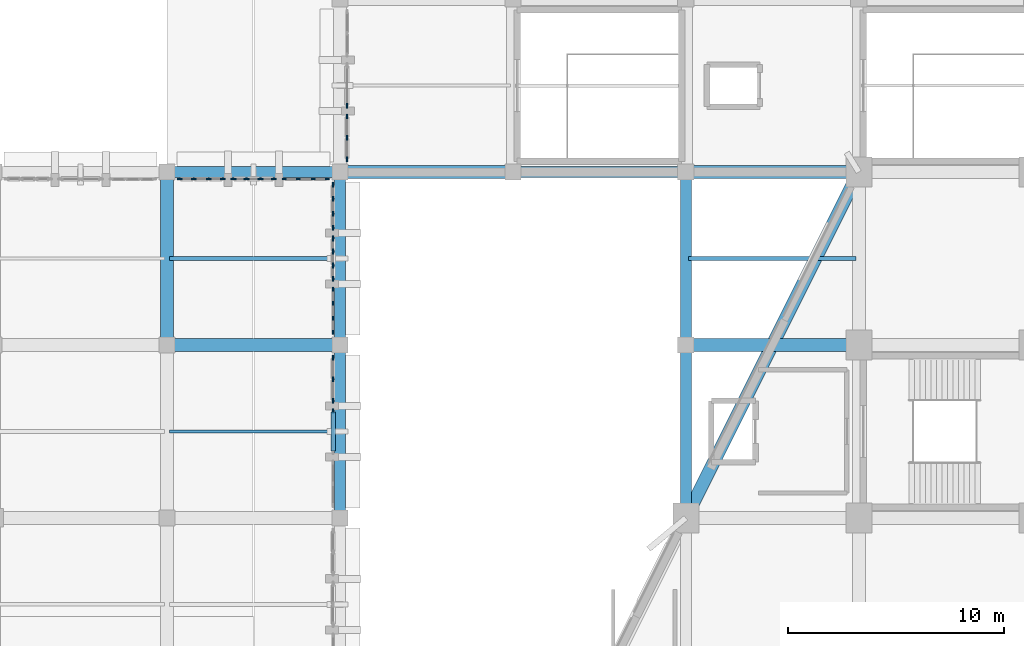
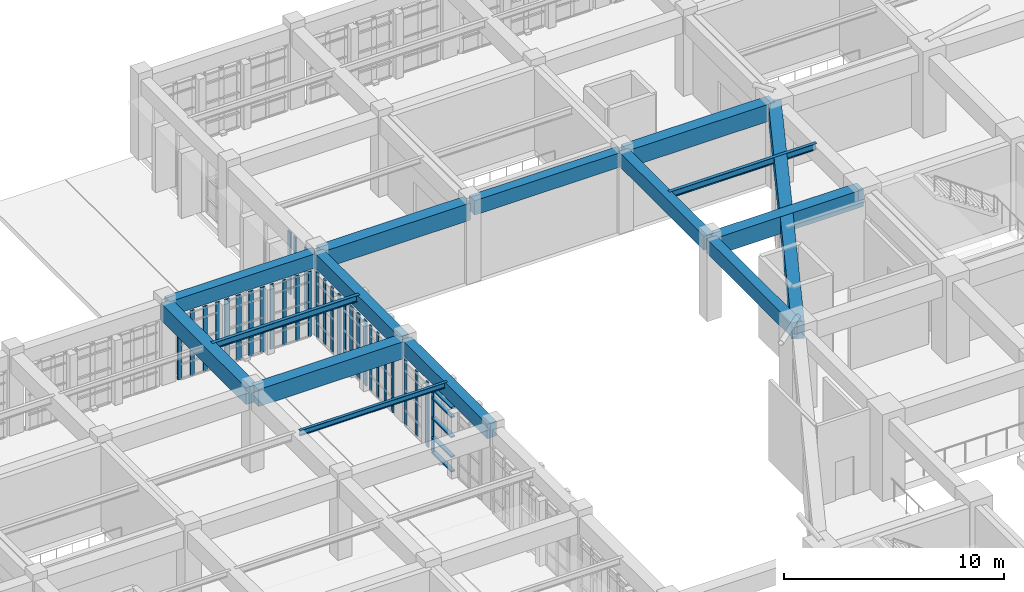
# One storey, part 27 of 155: 37 members, 15 beams, 10 elements without a shape of their own.
"""IFC4 building model written with IfcOpenShell, lengths in metres."""

from ifc_helpers import new_model, si_unit, direction, frame, origin, origin_2d, place, context, subcontext, project, spatial, rectangle, i_section, extrude, material, layer, layer_set, material_profile, profile_set, type_object, element, aggregate, save


model = new_model("IFC4")

# Units and contexts
model_context = context("Model", 3, precision=1e-05, world=origin(), true_north=direction((0.0, 1.0)))
body_context = subcontext(model_context, "Body", "Model", "MODEL_VIEW")
ifc_project = project(units=[si_unit("LENGTHUNIT", "METRE"), si_unit("AREAUNIT", "SQUARE_METRE"), si_unit("VOLUMEUNIT", "CUBIC_METRE"), si_unit("PLANEANGLEUNIT", "RADIAN"), si_unit("MASSUNIT", "GRAM", prefix="KILO")], contexts=[model_context])

# Site, building, storey
site_placement = place(None, origin())
site = spatial("IfcSite", under=ifc_project, at=site_placement, CompositionType="ELEMENT")
building_placement = place(site_placement, origin())
building = spatial("IfcBuilding", under=site, at=building_placement, Name="Tazarka Park Arena", CompositionType="ELEMENT")
storey_placement = place(building_placement, frame((0.0, 0.0, 5.39990234375)))
storey = spatial("IfcBuildingStorey", under=building, at=storey_placement, Name="L01", CompositionType="ELEMENT", Elevation=5.39990234375)

# Beams
ifc_material_1 = material(Name="Concrete C40/50", Category="concrete")
ifc_material_profile_1 = material_profile(ifc_material_1, rectangle(XDim=0.60009765625, YDim=0.949951171875, at=origin_2d()), Name="Concrete C40/50")
ifc_profile_set_1 = profile_set([ifc_material_profile_1], Name="Concrete C40/50")
beam_type_1 = type_object("IfcBeamType", Name="BM-B-03", PredefinedType="BEAM", material=ifc_profile_set_1)
for number, where, z_axis, x_axis, name in (
    (1, (32.1201171875, 104.0, 3.945068359375), (1.0, 0.0, 0.0), (0.0, 1.0, 0.0), "GXM-L01-04-13"),
    (2, (32.0, 104.1201171875, 3.945068359375), (0.0, 1.0, 0.0), (-1.0, 0.0, 0.0), "GYM-L01-04-13"),
    (3, (40.1201171875, 112.0, 3.945068359375), (1.0, 0.0, 0.0), (0.0, 1.0, 0.0), "GXM-L01-05-14"),
    (4, (56.1201171875, 104.0, 3.945068359375), (1.0, 0.0, 0.0), (0.0, 1.0, 0.0), "GXM-L01-07-13"),
    (5, (56.1201171875, 112.0, 3.945068359375), (1.0, 0.0, 0.0), (0.0, 1.0, 0.0), "GXM-L01-07-14"),
):
    element("IfcBeam", number, at=place(storey_placement, frame(where, z_axis=z_axis, x_axis=x_axis)), inside=storey, type_object=beam_type_1, Name=name, PredefinedType="BEAM", context=body_context, shape_type="SweptSolid", body=[
        extrude(rectangle(XDim=0.60009765625, YDim=0.949951171875, at=origin_2d()), origin(), (0.0, 0.0, 1.0), 7.759765625),
    ])
ifc_material_2 = material(Name="Steel S355", Category="steel")
ifc_material_profile_2 = material_profile(ifc_material_2, i_section(OverallWidth=0.14990234375, OverallDepth=0.300048828125, WebThickness=0.007080078125, FlangeThickness=0.0107421875, FilletRadius=0.014892578125, at=origin_2d()), Name="Steel S355")
ifc_profile_set_2 = profile_set([ifc_material_profile_2], Name="Steel S355")
beam_type_2 = type_object("IfcBeamType", Name="BM-J-01", PredefinedType="JOIST", material=ifc_profile_set_2)
beam_1_placement = place(storey_placement, frame((32.1201171875, 100.0, 4.27001953125), z_axis=(1.0, 0.0, 0.0), x_axis=(0.0, 1.0, 0.0)))
element("IfcBeam", 6, at=beam_1_placement, inside=storey, type_object=beam_type_2, Name="JST-L01-04-12", PredefinedType="JOIST", context=body_context, shape_type="SweptSolid", body=[
    extrude(i_section(OverallWidth=0.14990234375, OverallDepth=0.300048828125, WebThickness=0.007080078125, FlangeThickness=0.0107421875, FilletRadius=0.014892578125, at=origin_2d()), origin(), (0.0, 0.0, 1.0), 7.759765625),
])
ifc_material_3 = material(Name="Steel S355", Category="steel")
ifc_material_profile_3 = material_profile(ifc_material_3, i_section(OverallWidth=0.169921875, OverallDepth=0.360107421875, WebThickness=0.008056640625, FlangeThickness=0.0126953125, FilletRadius=0.01806640625, at=origin_2d()), Name="Steel S355")
ifc_profile_set_3 = profile_set([ifc_material_profile_3], Name="Steel S355")
beam_type_3 = type_object("IfcBeamType", Name="BM-J-02", PredefinedType="JOIST", material=ifc_profile_set_3)
for number, where, z_axis, x_axis, name in (
    (7, (32.1201171875, 108.0, 4.239990234375), (1.0, 0.0, 0.0), (0.0, 1.0, 0.0), "JST-L01-04-13"),
    (8, (56.1201171875, 108.0, 4.239990234375), (1.0, 0.0, 0.0), (0.0, 1.0, 0.0), "JST-L01-07-13"),
):
    element("IfcBeam", number, at=place(storey_placement, frame(where, z_axis=z_axis, x_axis=x_axis)), inside=storey, type_object=beam_type_3, Name=name, PredefinedType="JOIST", context=body_context, shape_type="SweptSolid", body=[
        extrude(i_section(OverallWidth=0.169921875, OverallDepth=0.360107421875, WebThickness=0.008056640625, FlangeThickness=0.0126953125, FilletRadius=0.01806640625, at=origin_2d()), origin(), (0.0, 0.0, 1.0), 7.759765625),
    ])
ifc_material_4 = material(Name="Concrete C40/50", Category="concrete")
ifc_material_profile_4 = material_profile(ifc_material_4, rectangle(XDim=0.5, YDim=0.800048828125, at=origin_2d()), Name="Concrete C40/50")
ifc_profile_set_4 = profile_set([ifc_material_profile_4], Name="Concrete C40/50")
beam_type_4 = type_object("IfcBeamType", Name="BM-SP-01", PredefinedType="SPANDREL", material=ifc_profile_set_4)
for number, where, z_axis, x_axis, name in (
    (9, (32.1201171875, 112.0, 4.02001953125), (1.0, 0.0, 0.0), (0.0, 1.0, 0.0), "GXM-L01-04-14"),
    (10, (40.0, 96.1201171875, 4.02001953125), (0.0, 1.0, 0.0), (-1.0, 0.0, 0.0), "GYM-L01-05-12"),
    (11, (40.0, 104.1201171875, 4.02001953125), (0.0, 1.0, 0.0), (-1.0, 0.0, 0.0), "GYM-L01-05-13"),
    (12, (48.1201171875, 112.0, 4.02001953125), (1.0, 0.0, 0.0), (0.0, 1.0, 0.0), "GXM-L01-06-14"),
    (13, (56.0, 96.1201171875, 4.02001953125), (0.0, 1.0, 0.0), (-1.0, 0.0, 0.0), "GYM-L01-07-12"),
    (14, (56.0, 104.1201171875, 4.02001953125), (0.0, 1.0, 0.0), (-1.0, 0.0, 0.0), "GYM-L01-07-13"),
):
    element("IfcBeam", number, at=place(storey_placement, frame(where, z_axis=z_axis, x_axis=x_axis)), inside=storey, type_object=beam_type_4, Name=name, PredefinedType="SPANDREL", context=body_context, shape_type="SweptSolid", body=[
        extrude(rectangle(XDim=0.5, YDim=0.800048828125, at=origin_2d()), origin(), (0.0, 0.0, 1.0), 7.759765625),
    ])
ifc_material_5 = material(Name="Concrete C40/50", Category="concrete")
ifc_material_profile_5 = material_profile(ifc_material_5, rectangle(XDim=0.60009765625, YDim=0.949951171875, at=origin_2d()), Name="Concrete C40/50")
ifc_profile_set_5 = profile_set([ifc_material_profile_5], Name="Concrete C40/50")
beam_type_5 = type_object("IfcBeamType", Name="BM-SP-03", PredefinedType="SPANDREL", material=ifc_profile_set_5)
beam_2_placement = place(storey_placement, frame((63.9462890625, 111.892578125, 3.945068359375), z_axis=(-0.4472135955, -0.894427191, 0.0), x_axis=(0.894427191, -0.4472135955, 0.0)))
element("IfcBeam", 15, at=beam_2_placement, inside=storey, type_object=beam_type_5, Name="RING BEAM SP-03-L01-19", PredefinedType="SPANDREL", context=body_context, shape_type="SweptSolid", body=[
    extrude(rectangle(XDim=0.60009765625, YDim=0.949951171875, at=origin_2d()), origin(), (0.0, 0.0, 1.0), 17.6484375),
])

# Curtain wall, members
ifc_material_6 = material(Name="Aluminium and low-e glass", Category="aluminium")
ifc_layer_1 = layer(ifc_material_6, 0.179931640625, Name="Aluminium and low-e glass")
ifc_layer_set_1 = layer_set([ifc_layer_1], Name="Aluminium and low-e glass")
curtain_wall_type_1 = type_object("IfcCurtainWallType", Name="CW-03", PredefinedType="NOTDEFINED", material=ifc_layer_set_1)
curtain_wall_1_placement = place(storey_placement, origin())
curtain_wall_1 = element("IfcCurtainWall", 16, at=curtain_wall_1_placement, inside=storey, type_object=curtain_wall_type_1, Name="Curtain Wall CWA-L01-123", PredefinedType="NOTDEFINED")
ifc_material_7 = material(Name="Aluminium 6060-T66", Category="aluminium")
ifc_material_profile_6 = material_profile(ifc_material_7, rectangle(XDim=0.06494140625, YDim=0.179931640625, at=origin_2d()), Name="Aluminium 6060-T66")
ifc_profile_set_6 = profile_set([ifc_material_profile_6], Name="Aluminium 6060-T66")
member_type_1 = type_object("IfcMemberType", Name="CWM-01", PredefinedType="MULLION", material=ifc_profile_set_6)
member_1_placement = place(storey_placement, frame((39.679931640625, 106.57568359375, 0.0), z_axis=(0.0, 0.0, 1.0), x_axis=(1.0, 0.0, 0.0)))
member_1 = element("IfcMember", 17, at=member_1_placement, type_object=member_type_1, Name="CW-03 mullion 1", PredefinedType="MULLION", context=body_context, shape_type="SweptSolid", body=[
    extrude(rectangle(XDim=0.06494140625, YDim=0.179931640625, at=origin_2d()), origin(), (0.0, 0.0, 1.0), 3.60009765625),
])
member_2_placement = place(storey_placement, frame((39.679931640625, 105.923828125, 0.0), z_axis=(0.0, 0.0, 1.0), x_axis=(1.0, 0.0, 0.0)))
member_2 = element("IfcMember", 18, at=member_2_placement, type_object=member_type_1, Name="CW-03 mullion 2", PredefinedType="MULLION", context=body_context, shape_type="SweptSolid", body=[
    extrude(rectangle(XDim=0.06494140625, YDim=0.179931640625, at=origin_2d()), origin(), (0.0, 0.0, 1.0), 3.60009765625),
])
member_3_placement = place(storey_placement, frame((39.679931640625, 105.239501953125, 0.0), z_axis=(0.0, 0.0, 1.0), x_axis=(1.0, 0.0, 0.0)))
member_3 = element("IfcMember", 19, at=member_3_placement, type_object=member_type_1, Name="CW-03 mullion 3", PredefinedType="MULLION", context=body_context, shape_type="SweptSolid", body=[
    extrude(rectangle(XDim=0.06494140625, YDim=0.179931640625, at=origin_2d()), origin(), (0.0, 0.0, 1.0), 3.60009765625),
])
member_4_placement = place(storey_placement, frame((39.679931640625, 104.58740234375, 0.0), z_axis=(0.0, 0.0, 1.0), x_axis=(1.0, 0.0, 0.0)))
member_4 = element("IfcMember", 20, at=member_4_placement, type_object=member_type_1, Name="CW-03 mullion 4", PredefinedType="MULLION", context=body_context, shape_type="SweptSolid", body=[
    extrude(rectangle(XDim=0.06494140625, YDim=0.179931640625, at=origin_2d()), origin(), (0.0, 0.0, 1.0), 3.60009765625),
])
aggregate(curtain_wall_1, [member_1, member_2, member_3, member_4])

ifc_material_8 = material(Name="Aluminium and low-e glass", Category="aluminium")
ifc_layer_2 = layer(ifc_material_8, 0.179931640625, Name="Aluminium and low-e glass")
ifc_layer_set_2 = layer_set([ifc_layer_2], Name="Aluminium and low-e glass")
curtain_wall_type_2 = type_object("IfcCurtainWallType", Name="CW-06", PredefinedType="NOTDEFINED", material=ifc_layer_set_2)
curtain_wall_2_placement = place(storey_placement, origin())
curtain_wall_2 = element("IfcCurtainWall", 21, at=curtain_wall_2_placement, inside=storey, type_object=curtain_wall_type_2, Name="Curtain Wall CWA-L01-126", PredefinedType="NOTDEFINED")
member_5_placement = place(storey_placement, frame((37.42431640625, 111.679931640625, 0.0), z_axis=(0.0, 0.0, 1.0), x_axis=(0.0, 1.0, 0.0)))
member_5 = element("IfcMember", 22, at=member_5_placement, type_object=member_type_1, Name="CW-06 mullion 1", PredefinedType="MULLION", context=body_context, shape_type="SweptSolid", body=[
    extrude(rectangle(XDim=0.06494140625, YDim=0.179931640625, at=origin_2d()), origin(), (0.0, 0.0, 1.0), 3.60009765625),
])
member_6_placement = place(storey_placement, frame((38.076171875, 111.679931640625, 0.0), z_axis=(0.0, 0.0, 1.0), x_axis=(0.0, 1.0, 0.0)))
member_6 = element("IfcMember", 23, at=member_6_placement, type_object=member_type_1, Name="CW-06 mullion 2", PredefinedType="MULLION", context=body_context, shape_type="SweptSolid", body=[
    extrude(rectangle(XDim=0.06494140625, YDim=0.179931640625, at=origin_2d()), origin(), (0.0, 0.0, 1.0), 3.60009765625),
])
member_7_placement = place(storey_placement, frame((38.760498046875, 111.679931640625, 0.0), z_axis=(0.0, 0.0, 1.0), x_axis=(0.0, 1.0, 0.0)))
member_7 = element("IfcMember", 24, at=member_7_placement, type_object=member_type_1, Name="CW-06 mullion 3", PredefinedType="MULLION", context=body_context, shape_type="SweptSolid", body=[
    extrude(rectangle(XDim=0.06494140625, YDim=0.179931640625, at=origin_2d()), origin(), (0.0, 0.0, 1.0), 3.60009765625),
])
member_8_placement = place(storey_placement, frame((39.41259765625, 111.679931640625, 0.0), z_axis=(0.0, 0.0, 1.0), x_axis=(0.0, 1.0, 0.0)))
member_8 = element("IfcMember", 25, at=member_8_placement, type_object=member_type_1, Name="CW-06 mullion 4", PredefinedType="MULLION", context=body_context, shape_type="SweptSolid", body=[
    extrude(rectangle(XDim=0.06494140625, YDim=0.179931640625, at=origin_2d()), origin(), (0.0, 0.0, 1.0), 3.60009765625),
])
aggregate(curtain_wall_2, [member_5, member_6, member_7, member_8])

ifc_material_9 = material(Name="Aluminium and low-e glass", Category="aluminium")
ifc_layer_3 = layer(ifc_material_9, 0.179931640625, Name="Aluminium and low-e glass")
ifc_layer_set_3 = layer_set([ifc_layer_3], Name="Aluminium and low-e glass")
curtain_wall_type_3 = type_object("IfcCurtainWallType", Name="CW-28", PredefinedType="NOTDEFINED", material=ifc_layer_set_3)
curtain_wall_3_placement = place(storey_placement, origin())
curtain_wall_3 = element("IfcCurtainWall", 26, at=curtain_wall_3_placement, inside=storey, type_object=curtain_wall_type_3, Name="Curtain Wall CWA-L01-058", PredefinedType="NOTDEFINED")
ifc_material_10 = material(Name="Aluminium 6060-T66", Category="aluminium")
ifc_material_profile_7 = material_profile(ifc_material_10, rectangle(XDim=0.06494140625, YDim=0.219970703125, at=origin_2d()), Name="Aluminium 6060-T66")
ifc_profile_set_7 = profile_set([ifc_material_profile_7], Name="Aluminium 6060-T66")
member_type_2 = type_object("IfcMemberType", Name="CWM-02", PredefinedType="MULLION", material=ifc_profile_set_7)
member_9_placement = place(storey_placement, frame((40.320068359375, 112.58740234375, 0.0), z_axis=(0.0, 0.0, 1.0), x_axis=(-1.0, 0.0, 0.0)))
member_9 = element("IfcMember", 27, at=member_9_placement, type_object=member_type_2, Name="CW-28 mullion 1", PredefinedType="MULLION", context=body_context, shape_type="SweptSolid", body=[
    extrude(rectangle(XDim=0.06494140625, YDim=0.219970703125, at=origin_2d()), origin(), (0.0, 0.0, 1.0), 3.4501953125),
])
member_10_placement = place(storey_placement, frame((40.320068359375, 113.58154296875, 0.0), z_axis=(0.0, 0.0, 1.0), x_axis=(-1.0, 0.0, 0.0)))
member_10 = element("IfcMember", 28, at=member_10_placement, type_object=member_type_2, Name="CW-28 mullion 2", PredefinedType="MULLION", context=body_context, shape_type="SweptSolid", body=[
    extrude(rectangle(XDim=0.06494140625, YDim=0.219970703125, at=origin_2d()), origin(), (0.0, 0.0, 1.0), 3.4501953125),
])
member_11_placement = place(storey_placement, frame((40.320068359375, 114.57568359375, 0.0), z_axis=(0.0, 0.0, 1.0), x_axis=(-1.0, 0.0, 0.0)))
member_11 = element("IfcMember", 29, at=member_11_placement, type_object=member_type_2, Name="CW-28 mullion 3", PredefinedType="MULLION", context=body_context, shape_type="SweptSolid", body=[
    extrude(rectangle(XDim=0.06494140625, YDim=0.219970703125, at=origin_2d()), origin(), (0.0, 0.0, 1.0), 3.4501953125),
])
aggregate(curtain_wall_3, [member_9, member_10, member_11])

curtain_wall_4_placement = place(storey_placement, origin())
curtain_wall_4 = element("IfcCurtainWall", 30, at=curtain_wall_4_placement, inside=storey, type_object=curtain_wall_type_3, Name="Curtain Wall CWA-L01-118", PredefinedType="NOTDEFINED")
member_12_placement = place(storey_placement, frame((39.679931640625, 103.41259765625, 0.0), z_axis=(0.0, 0.0, 1.0), x_axis=(1.0, 0.0, 0.0)))
member_12 = element("IfcMember", 31, at=member_12_placement, type_object=member_type_2, Name="CW-28 mullion 1", PredefinedType="MULLION", context=body_context, shape_type="SweptSolid", body=[
    extrude(rectangle(XDim=0.06494140625, YDim=0.219970703125, at=origin_2d()), origin(), (0.0, 0.0, 1.0), 3.60009765625),
])
member_13_placement = place(storey_placement, frame((39.679931640625, 102.41845703125, 0.0), z_axis=(0.0, 0.0, 1.0), x_axis=(1.0, 0.0, 0.0)))
member_13 = element("IfcMember", 32, at=member_13_placement, type_object=member_type_2, Name="CW-28 mullion 2", PredefinedType="MULLION", context=body_context, shape_type="SweptSolid", body=[
    extrude(rectangle(XDim=0.06494140625, YDim=0.219970703125, at=origin_2d()), origin(), (0.0, 0.0, 1.0), 3.60009765625),
])
member_14_placement = place(storey_placement, frame((39.679931640625, 101.42431640625, 0.0), z_axis=(0.0, 0.0, 1.0), x_axis=(1.0, 0.0, 0.0)))
member_14 = element("IfcMember", 33, at=member_14_placement, type_object=member_type_2, Name="CW-28 mullion 3", PredefinedType="MULLION", context=body_context, shape_type="SweptSolid", body=[
    extrude(rectangle(XDim=0.06494140625, YDim=0.219970703125, at=origin_2d()), origin(), (0.0, 0.0, 1.0), 3.60009765625),
])
aggregate(curtain_wall_4, [member_12, member_13, member_14])

ifc_material_11 = material(Name="Aluminium and low-e glass", Category="aluminium")
ifc_layer_4 = layer(ifc_material_11, 0.179931640625, Name="Aluminium and low-e glass")
ifc_layer_set_4 = layer_set([ifc_layer_4], Name="Aluminium and low-e glass")
curtain_wall_type_4 = type_object("IfcCurtainWallType", Name="CW-01", PredefinedType="NOTDEFINED", material=ifc_layer_set_4)
curtain_wall_5_placement = place(storey_placement, origin())
curtain_wall_5 = element("IfcCurtainWall", 34, at=curtain_wall_5_placement, inside=storey, type_object=curtain_wall_type_4, Name="Curtain Wall CWA-L01-121", PredefinedType="NOTDEFINED")
member_15_placement = place(storey_placement, frame((39.679931640625, 111.41259765625, 0.0), z_axis=(0.0, 0.0, 1.0), x_axis=(1.0, 0.0, 0.0)))
member_15 = element("IfcMember", 35, at=member_15_placement, type_object=member_type_2, Name="CW-01 mullion 1", PredefinedType="MULLION", context=body_context, shape_type="SweptSolid", body=[
    extrude(rectangle(XDim=0.06494140625, YDim=0.219970703125, at=origin_2d()), origin(), (0.0, 0.0, 1.0), 3.60009765625),
])
member_16_placement = place(storey_placement, frame((39.679931640625, 110.760498046875, 0.0), z_axis=(0.0, 0.0, 1.0), x_axis=(1.0, 0.0, 0.0)))
member_16 = element("IfcMember", 36, at=member_16_placement, type_object=member_type_2, Name="CW-01 mullion 2", PredefinedType="MULLION", context=body_context, shape_type="SweptSolid", body=[
    extrude(rectangle(XDim=0.06494140625, YDim=0.219970703125, at=origin_2d()), origin(), (0.0, 0.0, 1.0), 3.60009765625),
])
member_17_placement = place(storey_placement, frame((39.679931640625, 110.076171875, 0.0), z_axis=(0.0, 0.0, 1.0), x_axis=(1.0, 0.0, 0.0)))
member_17 = element("IfcMember", 37, at=member_17_placement, type_object=member_type_2, Name="CW-01 mullion 3", PredefinedType="MULLION", context=body_context, shape_type="SweptSolid", body=[
    extrude(rectangle(XDim=0.06494140625, YDim=0.219970703125, at=origin_2d()), origin(), (0.0, 0.0, 1.0), 3.60009765625),
])
member_18_placement = place(storey_placement, frame((39.679931640625, 109.42431640625, 0.0), z_axis=(0.0, 0.0, 1.0), x_axis=(1.0, 0.0, 0.0)))
member_18 = element("IfcMember", 38, at=member_18_placement, type_object=member_type_2, Name="CW-01 mullion 4", PredefinedType="MULLION", context=body_context, shape_type="SweptSolid", body=[
    extrude(rectangle(XDim=0.06494140625, YDim=0.219970703125, at=origin_2d()), origin(), (0.0, 0.0, 1.0), 3.60009765625),
])
aggregate(curtain_wall_5, [member_15, member_16, member_17, member_18])

ifc_material_12 = material(Name="Aluminium and low-e glass", Category="aluminium")
ifc_layer_5 = layer(ifc_material_12, 0.179931640625, Name="Aluminium and low-e glass")
ifc_layer_set_5 = layer_set([ifc_layer_5], Name="Aluminium and low-e glass")
curtain_wall_type_5 = type_object("IfcCurtainWallType", Name="CW-04", PredefinedType="NOTDEFINED", material=ifc_layer_set_5)
curtain_wall_6_placement = place(storey_placement, origin())
curtain_wall_6 = element("IfcCurtainWall", 39, at=curtain_wall_6_placement, inside=storey, type_object=curtain_wall_type_5, Name="Curtain Wall CWA-L01-124", PredefinedType="NOTDEFINED")
member_19_placement = place(storey_placement, frame((32.58740234375, 111.679931640625, 0.0), z_axis=(0.0, 0.0, 1.0), x_axis=(0.0, 1.0, 0.0)))
member_19 = element("IfcMember", 40, at=member_19_placement, type_object=member_type_2, Name="CW-04 mullion 1", PredefinedType="MULLION", context=body_context, shape_type="SweptSolid", body=[
    extrude(rectangle(XDim=0.06494140625, YDim=0.219970703125, at=origin_2d()), origin(), (0.0, 0.0, 1.0), 3.60009765625),
])
member_20_placement = place(storey_placement, frame((33.239501953125, 111.679931640625, 0.0), z_axis=(0.0, 0.0, 1.0), x_axis=(0.0, 1.0, 0.0)))
member_20 = element("IfcMember", 41, at=member_20_placement, type_object=member_type_2, Name="CW-04 mullion 2", PredefinedType="MULLION", context=body_context, shape_type="SweptSolid", body=[
    extrude(rectangle(XDim=0.06494140625, YDim=0.219970703125, at=origin_2d()), origin(), (0.0, 0.0, 1.0), 3.60009765625),
])
member_21_placement = place(storey_placement, frame((33.923828125, 111.679931640625, 0.0), z_axis=(0.0, 0.0, 1.0), x_axis=(0.0, 1.0, 0.0)))
member_21 = element("IfcMember", 42, at=member_21_placement, type_object=member_type_2, Name="CW-04 mullion 3", PredefinedType="MULLION", context=body_context, shape_type="SweptSolid", body=[
    extrude(rectangle(XDim=0.06494140625, YDim=0.219970703125, at=origin_2d()), origin(), (0.0, 0.0, 1.0), 3.60009765625),
])
member_22_placement = place(storey_placement, frame((34.57568359375, 111.679931640625, 0.0), z_axis=(0.0, 0.0, 1.0), x_axis=(0.0, 1.0, 0.0)))
member_22 = element("IfcMember", 43, at=member_22_placement, type_object=member_type_2, Name="CW-04 mullion 4", PredefinedType="MULLION", context=body_context, shape_type="SweptSolid", body=[
    extrude(rectangle(XDim=0.06494140625, YDim=0.219970703125, at=origin_2d()), origin(), (0.0, 0.0, 1.0), 3.60009765625),
])
aggregate(curtain_wall_6, [member_19, member_20, member_21, member_22])

# Curtain wall, member
ifc_material_13 = material(Name="Aluminium and low-e glass", Category="aluminium")
ifc_layer_6 = layer(ifc_material_13, 0.179931640625, Name="Aluminium and low-e glass")
ifc_layer_set_6 = layer_set([ifc_layer_6], Name="Aluminium and low-e glass")
curtain_wall_type_6 = type_object("IfcCurtainWallType", Name="CW-29", PredefinedType="NOTDEFINED", material=ifc_layer_set_6)
curtain_wall_7_placement = place(storey_placement, origin())
curtain_wall_7 = element("IfcCurtainWall", 44, at=curtain_wall_7_placement, inside=storey, type_object=curtain_wall_type_6, Name="Curtain Wall CWA-L01-059", PredefinedType="NOTDEFINED")
ifc_material_14 = material(Name="Aluminium 6060-T66", Category="aluminium")
ifc_material_profile_8 = material_profile(ifc_material_14, rectangle(XDim=0.074951171875, YDim=0.25, at=origin_2d()), Name="Aluminium 6060-T66")
ifc_profile_set_8 = profile_set([ifc_material_profile_8], Name="Aluminium 6060-T66")
member_type_3 = type_object("IfcMemberType", Name="CWM-03", PredefinedType="MULLION", material=ifc_profile_set_8)
member_23_placement = place(storey_placement, frame((40.320068359375, 115.06591796875, 0.0), z_axis=(0.0, 0.0, 1.0), x_axis=(-1.0, 0.0, 0.0)))
member_23 = element("IfcMember", 45, at=member_23_placement, type_object=member_type_3, Name="CW-29 mullion 1", PredefinedType="MULLION", context=body_context, shape_type="SweptSolid", body=[
    extrude(rectangle(XDim=0.074951171875, YDim=0.25, at=origin_2d()), origin(), (0.0, 0.0, 1.0), 3.4501953125),
])
aggregate(curtain_wall_7, [member_23])

curtain_wall_8_placement = place(storey_placement, origin())
curtain_wall_8 = element("IfcCurtainWall", 46, at=curtain_wall_8_placement, inside=storey, type_object=curtain_wall_type_6, Name="Curtain Wall CWA-L01-119", PredefinedType="NOTDEFINED")
member_24_placement = place(storey_placement, frame((39.679931640625, 100.93408203125, 0.0), z_axis=(0.0, 0.0, 1.0), x_axis=(1.0, 0.0, 0.0)))
member_24 = element("IfcMember", 47, at=member_24_placement, type_object=member_type_3, Name="CW-29 mullion 1", PredefinedType="MULLION", context=body_context, shape_type="SweptSolid", body=[
    extrude(rectangle(XDim=0.074951171875, YDim=0.25, at=origin_2d()), origin(), (0.0, 0.0, 1.0), 3.60009765625),
])

# Curtain wall, members
ifc_material_15 = material(Name="Aluminium and low-e glass", Category="aluminium")
ifc_layer_7 = layer(ifc_material_15, 0.179931640625, Name="Aluminium and low-e glass")
ifc_layer_set_7 = layer_set([ifc_layer_7], Name="Aluminium and low-e glass")
curtain_wall_type_7 = type_object("IfcCurtainWallType", Name="CW-02", PredefinedType="NOTDEFINED", material=ifc_layer_set_7)
curtain_wall_9_placement = place(storey_placement, origin())
curtain_wall_9 = element("IfcCurtainWall", 48, at=curtain_wall_9_placement, inside=storey, type_object=curtain_wall_type_7, Name="Curtain Wall CWA-L01-122", PredefinedType="NOTDEFINED")
member_25_placement = place(storey_placement, frame((39.679931640625, 108.93408203125, 0.0), z_axis=(0.0, 0.0, 1.0), x_axis=(1.0, 0.0, 0.0)))
member_25 = element("IfcMember", 49, at=member_25_placement, type_object=member_type_3, Name="CW-02 mullion 1", PredefinedType="MULLION", context=body_context, shape_type="SweptSolid", body=[
    extrude(rectangle(XDim=0.074951171875, YDim=0.25, at=origin_2d()), origin(), (0.0, 0.0, 1.0), 3.60009765625),
])
member_26_placement = place(storey_placement, frame((39.679931640625, 108.323974609375, 0.0), z_axis=(0.0, 0.0, 1.0), x_axis=(1.0, 0.0, 0.0)))
member_26 = element("IfcMember", 50, at=member_26_placement, type_object=member_type_3, Name="CW-02 mullion 2", PredefinedType="MULLION", context=body_context, shape_type="SweptSolid", body=[
    extrude(rectangle(XDim=0.074951171875, YDim=0.25, at=origin_2d()), origin(), (0.0, 0.0, 1.0), 3.60009765625),
])
member_27_placement = place(storey_placement, frame((39.679931640625, 107.676025390625, 0.0), z_axis=(0.0, 0.0, 1.0), x_axis=(1.0, 0.0, 0.0)))
member_27 = element("IfcMember", 51, at=member_27_placement, type_object=member_type_3, Name="CW-02 mullion 3", PredefinedType="MULLION", context=body_context, shape_type="SweptSolid", body=[
    extrude(rectangle(XDim=0.074951171875, YDim=0.25, at=origin_2d()), origin(), (0.0, 0.0, 1.0), 3.60009765625),
])
member_28_placement = place(storey_placement, frame((39.679931640625, 107.06591796875, 0.0), z_axis=(0.0, 0.0, 1.0), x_axis=(1.0, 0.0, 0.0)))
member_28 = element("IfcMember", 52, at=member_28_placement, type_object=member_type_3, Name="CW-02 mullion 4", PredefinedType="MULLION", context=body_context, shape_type="SweptSolid", body=[
    extrude(rectangle(XDim=0.074951171875, YDim=0.25, at=origin_2d()), origin(), (0.0, 0.0, 1.0), 3.60009765625),
])
aggregate(curtain_wall_9, [member_25, member_26, member_27, member_28])

ifc_material_16 = material(Name="Aluminium and low-e glass", Category="aluminium")
ifc_layer_8 = layer(ifc_material_16, 0.179931640625, Name="Aluminium and low-e glass")
ifc_layer_set_8 = layer_set([ifc_layer_8], Name="Aluminium and low-e glass")
curtain_wall_type_8 = type_object("IfcCurtainWallType", Name="CW-05", PredefinedType="NOTDEFINED", material=ifc_layer_set_8)
curtain_wall_10_placement = place(storey_placement, origin())
curtain_wall_10 = element("IfcCurtainWall", 53, at=curtain_wall_10_placement, inside=storey, type_object=curtain_wall_type_8, Name="Curtain Wall CWA-L01-125", PredefinedType="NOTDEFINED")
member_29_placement = place(storey_placement, frame((35.06591796875, 111.679931640625, 0.0), z_axis=(0.0, 0.0, 1.0), x_axis=(0.0, 1.0, 0.0)))
member_29 = element("IfcMember", 54, at=member_29_placement, type_object=member_type_3, Name="CW-05 mullion 1", PredefinedType="MULLION", context=body_context, shape_type="SweptSolid", body=[
    extrude(rectangle(XDim=0.074951171875, YDim=0.25, at=origin_2d()), origin(), (0.0, 0.0, 1.0), 3.60009765625),
])
member_30_placement = place(storey_placement, frame((35.676025390625, 111.679931640625, 0.0), z_axis=(0.0, 0.0, 1.0), x_axis=(0.0, 1.0, 0.0)))
member_30 = element("IfcMember", 55, at=member_30_placement, type_object=member_type_3, Name="CW-05 mullion 2", PredefinedType="MULLION", context=body_context, shape_type="SweptSolid", body=[
    extrude(rectangle(XDim=0.074951171875, YDim=0.25, at=origin_2d()), origin(), (0.0, 0.0, 1.0), 3.60009765625),
])
member_31_placement = place(storey_placement, frame((36.323974609375, 111.679931640625, 0.0), z_axis=(0.0, 0.0, 1.0), x_axis=(0.0, 1.0, 0.0)))
member_31 = element("IfcMember", 56, at=member_31_placement, type_object=member_type_3, Name="CW-05 mullion 3", PredefinedType="MULLION", context=body_context, shape_type="SweptSolid", body=[
    extrude(rectangle(XDim=0.074951171875, YDim=0.25, at=origin_2d()), origin(), (0.0, 0.0, 1.0), 3.60009765625),
])
member_32_placement = place(storey_placement, frame((36.93408203125, 111.679931640625, 0.0), z_axis=(0.0, 0.0, 1.0), x_axis=(0.0, 1.0, 0.0)))
member_32 = element("IfcMember", 57, at=member_32_placement, type_object=member_type_3, Name="CW-05 mullion 4", PredefinedType="MULLION", context=body_context, shape_type="SweptSolid", body=[
    extrude(rectangle(XDim=0.074951171875, YDim=0.25, at=origin_2d()), origin(), (0.0, 0.0, 1.0), 3.60009765625),
])
aggregate(curtain_wall_10, [member_29, member_30, member_31, member_32])

# Member
ifc_material_17 = material(Name="Aluminium 6060-T66", Category="aluminium")
ifc_material_profile_9 = material_profile(ifc_material_17, rectangle(XDim=0.2099609375, YDim=0.074951171875, at=origin_2d()), Name="Aluminium 6060-T66")
ifc_profile_set_9 = profile_set([ifc_material_profile_9], Name="Aluminium 6060-T66")
member_type_4 = type_object("IfcMemberType", Name="CWT-03", PredefinedType="USERDEFINED", material=ifc_profile_set_9)
member_33_placement = place(storey_placement, frame((39.679931640625, 100.896728515625, 0.03759765625), z_axis=(0.0, -1.0, 0.0), x_axis=(1.0, 0.0, 0.0)))
member_33 = element("IfcMember", 58, at=member_33_placement, type_object=member_type_4, Name="CW-29 transom 1.1", ObjectType="TRANSOM", PredefinedType="USERDEFINED", context=body_context, shape_type="SweptSolid", body=[
    extrude(rectangle(XDim=0.2099609375, YDim=0.074951171875, at=origin_2d()), origin(), (0.0, 0.0, 1.0), 1.79345703125),
])

member_34_placement = place(storey_placement, frame((39.679931640625, 100.896728515625, 0.85009765625), z_axis=(0.0, -1.0, 0.0), x_axis=(1.0, 0.0, 0.0)))
member_34 = element("IfcMember", 59, at=member_34_placement, type_object=member_type_4, Name="CW-29 transom 1.2", ObjectType="TRANSOM", PredefinedType="USERDEFINED", context=body_context, shape_type="SweptSolid", body=[
    extrude(rectangle(XDim=0.2099609375, YDim=0.074951171875, at=origin_2d()), origin(), (0.0, 0.0, 1.0), 1.79345703125),
])

member_35_placement = place(storey_placement, frame((39.679931640625, 100.896728515625, 1.9501953125), z_axis=(0.0, -1.0, 0.0), x_axis=(1.0, 0.0, 0.0)))
member_35 = element("IfcMember", 60, at=member_35_placement, type_object=member_type_4, Name="CW-29 transom 1.3", ObjectType="TRANSOM", PredefinedType="USERDEFINED", context=body_context, shape_type="SweptSolid", body=[
    extrude(rectangle(XDim=0.2099609375, YDim=0.074951171875, at=origin_2d()), origin(), (0.0, 0.0, 1.0), 1.79345703125),
])

member_36_placement = place(storey_placement, frame((39.679931640625, 100.896728515625, 3.050048828125), z_axis=(0.0, -1.0, 0.0), x_axis=(1.0, 0.0, 0.0)))
member_36 = element("IfcMember", 61, at=member_36_placement, type_object=member_type_4, Name="CW-29 transom 1.4", ObjectType="TRANSOM", PredefinedType="USERDEFINED", context=body_context, shape_type="SweptSolid", body=[
    extrude(rectangle(XDim=0.2099609375, YDim=0.074951171875, at=origin_2d()), origin(), (0.0, 0.0, 1.0), 1.79345703125),
])

member_37_placement = place(storey_placement, frame((39.679931640625, 100.896728515625, 3.5625), z_axis=(0.0, -1.0, 0.0), x_axis=(1.0, 0.0, 0.0)))
member_37 = element("IfcMember", 62, at=member_37_placement, type_object=member_type_4, Name="CW-29 transom 1.5", ObjectType="TRANSOM", PredefinedType="USERDEFINED", context=body_context, shape_type="SweptSolid", body=[
    extrude(rectangle(XDim=0.2099609375, YDim=0.074951171875, at=origin_2d()), origin(), (0.0, 0.0, 1.0), 1.79345703125),
])

aggregate(curtain_wall_8, [member_24, member_33, member_34, member_35, member_36, member_37])

save(model, "model.ifc")
